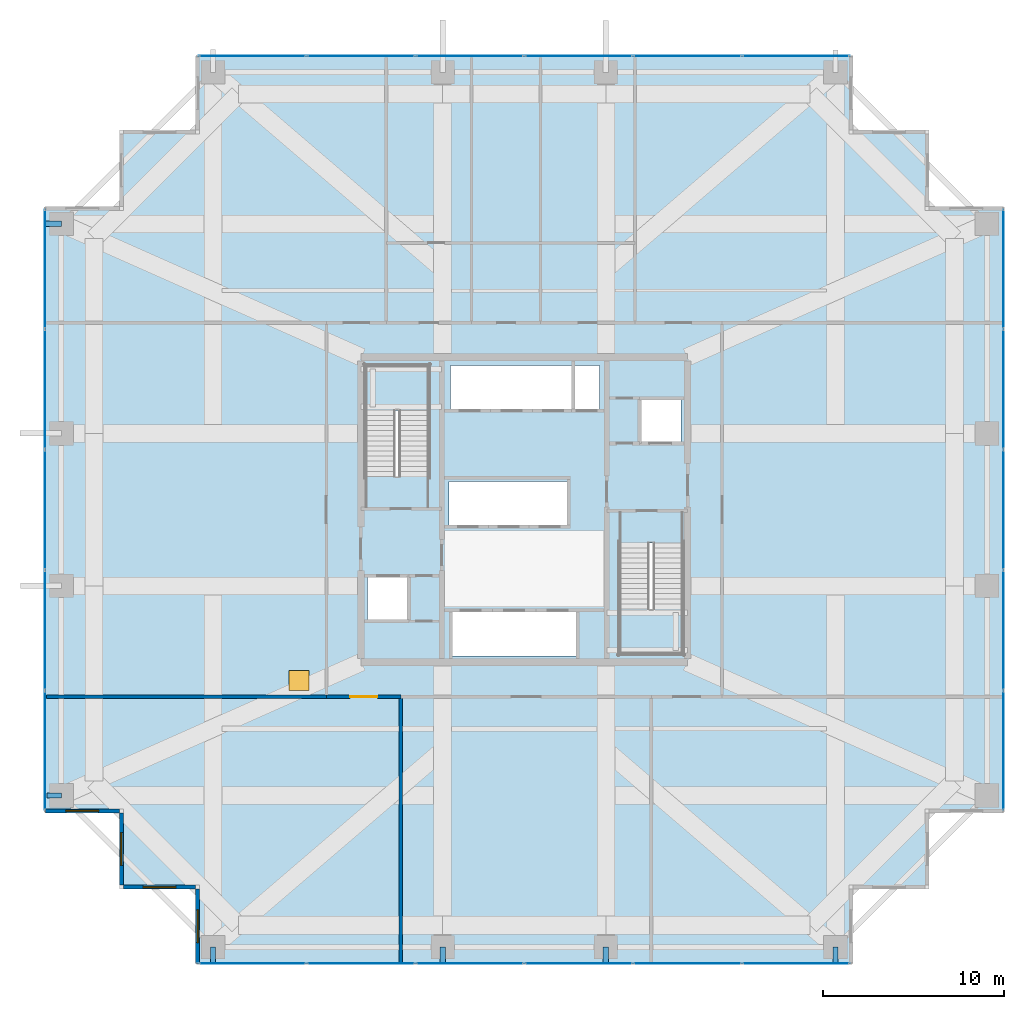
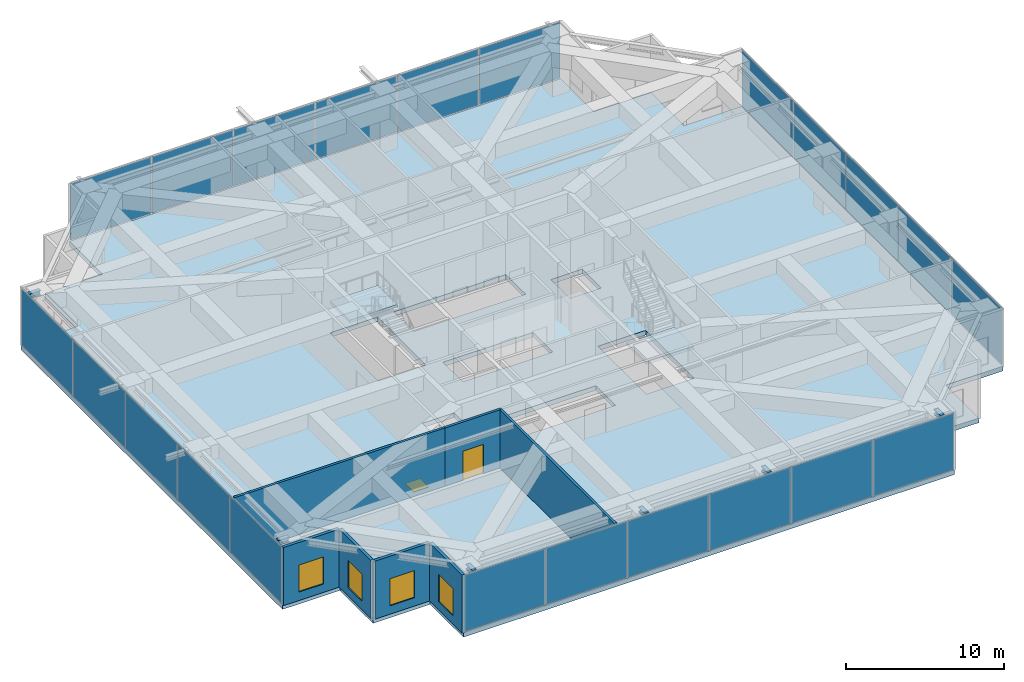
"""IFC4 building model written with IfcOpenShell, lengths in metres."""

from ifc_helpers import new_model, si_unit, direction, frame, frame_2d, origin, origin_2d, place, context, subcontext, project, spatial, polyline, rectangle, i_section, outline, extrude, source, transform, mapped, material, layer, layer_set, material_profile, profile_set, type_object, element, fill, aggregate, save


model = new_model("IFC4")

# Units and contexts
model_context = context("Model", 3, precision=1e-05, world=origin(), true_north=direction((0.0, 1.0)))
body_context = subcontext(model_context, "Body", "Model", "MODEL_VIEW")
ifc_project = project(units=[si_unit("LENGTHUNIT", "METRE"), si_unit("AREAUNIT", "SQUARE_METRE"), si_unit("VOLUMEUNIT", "CUBIC_METRE"), si_unit("PLANEANGLEUNIT", "RADIAN"), si_unit("MASSUNIT", "GRAM", prefix="KILO")], contexts=[model_context])

# Site, building, storey
site_placement = place(None, origin())
site = spatial("IfcSite", under=ifc_project, at=site_placement, CompositionType="ELEMENT")
building_placement = place(site_placement, origin())
building = spatial("IfcBuilding", under=site, at=building_placement, Name="Serunith Strait Residences", CompositionType="ELEMENT")
storey_1_placement = place(building_placement, frame((0.0, 0.0, 115.199951171875)))
storey_1 = spatial("IfcBuildingStorey", under=building, at=storey_1_placement, Name="L28", CompositionType="ELEMENT", Elevation=115.199951171875)

# Beams
ifc_material_1 = material(Name="Steel S355J2", Category="steel")
ifc_material_profile = material_profile(ifc_material_1, i_section(OverallWidth=0.300048828125, OverallDepth=0.360107421875, WebThickness=0.012451171875, FlangeThickness=0.0224609375, FilletRadius=0.027099609375, at=origin_2d()), Name="HEB 360")
ifc_profile_set = profile_set([ifc_material_profile], Name="Steel S355J2")
beam_type = type_object("IfcBeamType", Name="BM-HEB360", PredefinedType="BEAM", material=ifc_profile_set)
shared_shape_1 = source(origin(), body_context, "Body", "SweptSolid", [
    extrude(i_section(OverallWidth=0.300048828125, OverallDepth=0.360107421875, WebThickness=0.012451171875, FlangeThickness=0.0224609375, FilletRadius=0.027099609375, at=origin_2d()), origin(), (0.0, 0.0, 1.0), 0.830078125),
])
for number, where, z_axis, x_axis, name in (
    (1, (15.25, 1.10009765625, 4.3271484375), (0.0, -1.0, 0.0), (1.0, 0.0, 0.0), "L29 Cantilevered Balcony Rib TC-S1"),
    (2, (27.89990234375, 1.10009765625, 4.3271484375), (0.0, -1.0, 0.0), (1.0, 0.0, 0.0), "L29 Cantilevered Balcony Rib TC-S2"),
    (3, (36.89990234375, 1.10009765625, 4.3271484375), (0.0, -1.0, 0.0), (1.0, 0.0, 0.0), "L29 Cantilevered Balcony Rib TC-S3"),
    (4, (49.550048828125, 1.10009765625, 4.3271484375), (0.0, -1.0, 0.0), (1.0, 0.0, 0.0), "L29 Cantilevered Balcony Rib TC-S4"),
):
    element("IfcBeam", number, at=place(storey_1_placement, frame(where, z_axis=z_axis, x_axis=x_axis)), inside=storey_1, type_object=beam_type, Name=name, PredefinedType="BEAM", context=body_context, shape_type="MappedRepresentation", body=[
        mapped(shared_shape_1, transform((0.0, 0.0, 0.0), scale=1.0)),
    ])
shared_shape_2 = source(origin(), body_context, "Body", "SweptSolid", [
    extrude(i_section(OverallWidth=0.300048828125, OverallDepth=0.360107421875, WebThickness=0.012451171875, FlangeThickness=0.0224609375, FilletRadius=0.027099609375, at=origin_2d()), origin(), (0.0, 0.0, 1.0), 0.80322265625),
])
beam_1_placement = place(storey_1_placement, frame((6.89990234375, 9.449951171875, 4.3271484375), z_axis=(-1.0, 0.0, 0.0), x_axis=(0.0, -1.0, 0.0)))
element("IfcBeam", 5, at=beam_1_placement, inside=storey_1, type_object=beam_type, Name="L29 Cantilevered Balcony Rib TC-W1", PredefinedType="BEAM", context=body_context, shape_type="MappedRepresentation", body=[
    mapped(shared_shape_2, transform((0.0, 0.0, 0.0), scale=1.0)),
])
shared_shape_3 = source(origin(), body_context, "Body", "SweptSolid", [
    extrude(i_section(OverallWidth=0.300048828125, OverallDepth=0.360107421875, WebThickness=0.012451171875, FlangeThickness=0.0224609375, FilletRadius=0.027099609375, at=origin_2d()), origin(), (0.0, 0.0, 1.0), 0.84521484375),
])
beam_2_placement = place(storey_1_placement, frame((6.89990234375, 40.949951171875, 4.3271484375), z_axis=(-1.0, 0.0, 0.0), x_axis=(0.0, -1.0, 0.0)))
element("IfcBeam", 6, at=beam_2_placement, inside=storey_1, type_object=beam_type, Name="L29 Cantilevered Balcony Rib TC-W4", PredefinedType="BEAM", context=body_context, shape_type="MappedRepresentation", body=[
    mapped(shared_shape_3, transform((0.0, 0.0, 0.0), scale=1.0)),
])

# Stair, slab
ifc_material_2 = material(Name="Concrete C50/60", Category="concrete")
stair_type_1 = type_object("IfcStairType", Name="STR-CORE-1", PredefinedType="HALF_TURN_STAIR", material=ifc_material_2)
stair_1_placement = place(storey_1_placement, origin())
stair_1 = element("IfcStair", 7, at=stair_1_placement, inside=storey_1, type_object=stair_type_1, Name="L28 Protected Escape Stair ST-1", PredefinedType="HALF_TURN_STAIR")
ifc_layer_1 = layer(ifc_material_2, 0.199951171875, Name="Concrete C50/60")
ifc_layer_set_1 = layer_set([ifc_layer_1], Name="Concrete C50/60")
slab_type_1 = type_object("IfcSlabType", Name="SLB-LAND-200", PredefinedType="LANDING", material=ifc_layer_set_1)
slab_1_placement = place(storey_1_placement, frame((0.0, 0.0, 2.275146484375)))
slab_1 = element("IfcSlab", 8, at=slab_1_placement, type_object=slab_type_1, Name="ST-1 landing 1", PredefinedType="LANDING", context=body_context, shape_type="SweptSolid", body=[
    extrude(outline(polyline([(27.14990234375, 30.669921875), (27.14990234375, 33.14990234375), (23.64990234375, 33.14990234375), (23.64990234375, 30.669921875), (27.14990234375, 30.669921875)])), origin(), (0.0, 0.0, 1.0), 0.199951171875),
])
aggregate(stair_1, [slab_1])

stair_type_2 = type_object("IfcStairType", Name="STR-CORE-2", PredefinedType="HALF_TURN_STAIR", material=ifc_material_2)
stair_2_placement = place(storey_1_placement, origin())
stair_2 = element("IfcStair", 9, at=stair_2_placement, inside=storey_1, type_object=stair_type_2, Name="L28 Protected Escape Stair ST-2", PredefinedType="HALF_TURN_STAIR")
slab_2_placement = place(storey_1_placement, frame((0.0, 0.0, 2.275146484375)))
slab_2 = element("IfcSlab", 10, at=slab_2_placement, type_object=slab_type_1, Name="ST-2 landing 1", PredefinedType="LANDING", context=body_context, shape_type="SweptSolid", body=[
    extrude(outline(polyline([(37.64990234375, 19.72998046875), (37.64990234375, 17.25), (41.14990234375, 17.25), (41.14990234375, 19.72998046875), (37.64990234375, 19.72998046875)])), origin(), (0.0, 0.0, 1.0), 0.199951171875),
])
aggregate(stair_2, [slab_2])

# Slab, opening
ifc_material_3 = material(Name="Concrete C70/85", Category="concrete")
ifc_layer_2 = layer(ifc_material_3, 0.360107421875, Name="Concrete C70/85")
ifc_layer_set_2 = layer_set([ifc_layer_2], Name="Concrete C70/85")
slab_type_2 = type_object("IfcSlabType", Name="SLB-PLT-360", PredefinedType="FLOOR", material=ifc_layer_set_2)
slab_3_placement = place(storey_1_placement, frame((0.0, 0.0, -0.35986328125)))
slab_3 = element("IfcSlab", 11, at=slab_3_placement, inside=storey_1, type_object=slab_type_2, Name="L28 Structural Floor Plate", PredefinedType="FLOOR", context=body_context, shape_type="SweptSolid", body=[
    extrude(outline(polyline([(14.39990234375, 4.39990234375), (10.199951171875, 4.39990234375), (10.199951171875, 8.60009765625), (6.0, 8.60009765625), (6.0, 41.800048828125), (10.199951171875, 41.800048828125), (10.199951171875, 46.0), (14.39990234375, 46.0), (14.39990234375, 50.199951171875), (50.39990234375, 50.199951171875), (50.39990234375, 46.0), (54.60009765625, 46.0), (54.60009765625, 41.800048828125), (58.800048828125, 41.800048828125), (58.800048828125, 8.60009765625), (54.60009765625, 8.60009765625), (54.60009765625, 4.39990234375), (50.39990234375, 4.39990234375), (50.39990234375, 0.199951171875), (14.39990234375, 0.199951171875), (14.39990234375, 4.39990234375)]), holes=[polyline([(41.14990234375, 17.25), (41.14990234375, 23.3701171875), (37.64990234375, 23.3701171875), (37.64990234375, 17.25), (41.14990234375, 17.25)]), polyline([(41.050048828125, 31.25), (38.75, 31.25), (38.75, 28.85009765625), (41.050048828125, 28.85009765625), (41.050048828125, 31.25)]), polyline([(36.550048828125, 33.14990234375), (28.35009765625, 33.14990234375), (28.35009765625, 30.64990234375), (36.550048828125, 30.64990234375), (36.550048828125, 33.14990234375)]), polyline([(28.35009765625, 19.64990234375), (28.35009765625, 17.14990234375), (35.35009765625, 17.14990234375), (35.35009765625, 19.64990234375), (28.35009765625, 19.64990234375)]), polyline([(34.85009765625, 26.75), (28.25, 26.75), (28.25, 24.25), (34.85009765625, 24.25), (34.85009765625, 26.75)]), polyline([(23.64990234375, 33.14990234375), (23.64990234375, 27.030029296875), (27.14990234375, 27.030029296875), (27.14990234375, 33.14990234375), (23.64990234375, 33.14990234375)]), polyline([(26.050048828125, 21.550048828125), (23.75, 21.550048828125), (23.75, 19.14990234375), (26.050048828125, 19.14990234375), (26.050048828125, 21.550048828125)])]), origin(), (0.0, 0.0, 1.0), 0.35986328125),
])
opening_1_placement = place(slab_3_placement, frame((20.0, 15.800048828125, 0.0)))
opening_1 = element("IfcOpeningElement", 12, at=opening_1_placement, cuts=slab_3, Name="Opening RH-01", PredefinedType="OPENING", context=body_context, shape_type="SweptSolid", body=[
    extrude(rectangle(XDim=1.10009765625, YDim=1.10009765625, at=origin_2d()), frame((0.0, 0.0, -0.010009765625)), (0.0, 0.0, 1.0), 0.3798828125),
])

# Storey
storey_2_placement = place(building_placement, frame((0.0, 0.0, 109.199951171875)))
storey_2 = spatial("IfcBuildingStorey", under=building, at=storey_2_placement, Name="L27", CompositionType="ELEMENT", Elevation=109.199951171875)

# Door
ifc_material_4 = material(Name="Insulated Aluminium Roof Access Hatch", Category="aluminium")
door_type_1 = type_object("IfcDoorType", Name="HATCH-ROOF-1100", OperationType="SINGLE_SWING_LEFT", PredefinedType="TRAPDOOR", material=ifc_material_4)
door_1_placement = place(opening_1_placement, frame((0.0, 0.0, 0.31982421875)))
door_1 = element("IfcDoor", 13, at=door_1_placement, inside=storey_2, type_object=door_type_1, Name="L27 Maintenance Access Hatch 05", OperationType="SINGLE_SWING_LEFT", OverallHeight=1.10009765625, OverallWidth=1.10009765625, PredefinedType="TRAPDOOR", context=body_context, shape_type="SweptSolid", body=[
    extrude(rectangle(XDim=1.10009765625, YDim=1.10009765625, at=origin_2d()), origin(), (0.0, 0.0, 1.0), 0.0400390625),
])

fill(opening_1, door_1)

# Curtain wall, plates
ifc_material_5 = material(Name="Pale-Champagne Anodised Aluminium", Category="aluminium")
ifc_layer_3 = layer(ifc_material_5, 0.199951171875, Name="Pale-Champagne Anodised Aluminium")
ifc_layer_set_3 = layer_set([ifc_layer_3], Name="Pale-Champagne Anodised Aluminium")
curtain_wall_type = type_object("IfcCurtainWallType", Name="CW-SYS1", PredefinedType="NOTDEFINED", material=ifc_layer_set_3)
curtain_wall_1_placement = place(storey_1_placement, origin())
curtain_wall_1 = element("IfcCurtainWall", 14, at=curtain_wall_1_placement, inside=storey_1, type_object=curtain_wall_type, Name="L28 S Unitised Fritted Curtain Wall", PredefinedType="NOTDEFINED")
ifc_material_6 = material(Name="Ceramic-Fritted Low-E Double Glazing 28mm", Category="glass")
ifc_layer_4 = layer(ifc_material_6, 0.028076171875, Name="Ceramic-Fritted Low-E Double Glazing 28mm")
ifc_layer_set_4 = layer_set([ifc_layer_4], Name="Ceramic-Fritted Low-E Double Glazing 28mm")
plate_type = type_object("IfcPlateType", Name="CW-SYS1-PNL", PredefinedType="CURTAIN_PANEL", material=ifc_layer_set_4)
shared_shape_4 = source(origin(), body_context, "Body", "SweptSolid", [
    extrude(rectangle(XDim=5.89501953125, YDim=0.028076171875, at=origin_2d()), origin(), (0.0, 0.0, 1.0), 4.375),
])
plate_1_placement = place(storey_1_placement, frame((17.41748046875, 0.199951171875, 0.06005859375), z_axis=(0.0, 0.0, 1.0), x_axis=(1.0, 0.0, 0.0)))
plate_1 = element("IfcPlate", 15, at=plate_1_placement, type_object=plate_type, Name="CW-1 panel 1.1", PredefinedType="CURTAIN_PANEL", context=body_context, shape_type="MappedRepresentation", body=[
    mapped(shared_shape_4, transform((0.0, 0.0, 0.0), scale=1.0)),
])
plate_2_placement = place(storey_1_placement, frame((47.382568359375, 0.199951171875, 0.06005859375), z_axis=(0.0, 0.0, 1.0), x_axis=(1.0, 0.0, 0.0)))
plate_2 = element("IfcPlate", 16, at=plate_2_placement, type_object=plate_type, Name="CW-1 panel 6.1", PredefinedType="CURTAIN_PANEL", context=body_context, shape_type="MappedRepresentation", body=[
    mapped(shared_shape_4, transform((0.0, 0.0, 0.0), scale=1.0)),
])

curtain_wall_2_placement = place(storey_1_placement, origin())
curtain_wall_2 = element("IfcCurtainWall", 17, at=curtain_wall_2_placement, inside=storey_1, type_object=curtain_wall_type, Name="L28 N Unitised Fritted Curtain Wall", PredefinedType="NOTDEFINED")
plate_3_placement = place(storey_1_placement, frame((47.382568359375, 50.199951171875, 0.06005859375), z_axis=(0.0, 0.0, 1.0), x_axis=(-1.0, 0.0, 0.0)))
plate_3 = element("IfcPlate", 18, at=plate_3_placement, type_object=plate_type, Name="CW-1 panel 1.1", PredefinedType="CURTAIN_PANEL", context=body_context, shape_type="MappedRepresentation", body=[
    mapped(shared_shape_4, transform((0.0, 0.0, 0.0), scale=1.0)),
])
plate_4_placement = place(storey_1_placement, frame((17.41748046875, 50.199951171875, 0.06005859375), z_axis=(0.0, 0.0, 1.0), x_axis=(-1.0, 0.0, 0.0)))
plate_4 = element("IfcPlate", 19, at=plate_4_placement, type_object=plate_type, Name="CW-1 panel 6.1", PredefinedType="CURTAIN_PANEL", context=body_context, shape_type="MappedRepresentation", body=[
    mapped(shared_shape_4, transform((0.0, 0.0, 0.0), scale=1.0)),
])

# Plate
shared_shape_5 = source(origin(), body_context, "Body", "SweptSolid", [
    extrude(rectangle(XDim=5.929931640625, YDim=0.028076171875, at=origin_2d()), origin(), (0.0, 0.0, 1.0), 4.375),
])
plate_5_placement = place(storey_1_placement, frame((23.39990234375, 0.199951171875, 0.06005859375), z_axis=(0.0, 0.0, 1.0), x_axis=(1.0, 0.0, 0.0)))
plate_5 = element("IfcPlate", 20, at=plate_5_placement, type_object=plate_type, Name="CW-1 panel 2.1", PredefinedType="CURTAIN_PANEL", context=body_context, shape_type="MappedRepresentation", body=[
    mapped(shared_shape_5, transform((0.0, 0.0, 0.0), scale=1.0)),
])

plate_6_placement = place(storey_1_placement, frame((29.39990234375, 0.199951171875, 0.06005859375), z_axis=(0.0, 0.0, 1.0), x_axis=(1.0, 0.0, 0.0)))
plate_6 = element("IfcPlate", 21, at=plate_6_placement, type_object=plate_type, Name="CW-1 panel 3.1", PredefinedType="CURTAIN_PANEL", context=body_context, shape_type="MappedRepresentation", body=[
    mapped(shared_shape_5, transform((0.0, 0.0, 0.0), scale=1.0)),
])

plate_7_placement = place(storey_1_placement, frame((35.39990234375, 0.199951171875, 0.06005859375), z_axis=(0.0, 0.0, 1.0), x_axis=(1.0, 0.0, 0.0)))
plate_7 = element("IfcPlate", 22, at=plate_7_placement, type_object=plate_type, Name="CW-1 panel 4.1", PredefinedType="CURTAIN_PANEL", context=body_context, shape_type="MappedRepresentation", body=[
    mapped(shared_shape_5, transform((0.0, 0.0, 0.0), scale=1.0)),
])

plate_8_placement = place(storey_1_placement, frame((41.39990234375, 0.199951171875, 0.06005859375), z_axis=(0.0, 0.0, 1.0), x_axis=(1.0, 0.0, 0.0)))
plate_8 = element("IfcPlate", 23, at=plate_8_placement, type_object=plate_type, Name="CW-1 panel 5.1", PredefinedType="CURTAIN_PANEL", context=body_context, shape_type="MappedRepresentation", body=[
    mapped(shared_shape_5, transform((0.0, 0.0, 0.0), scale=1.0)),
])

aggregate(curtain_wall_1, [plate_1, plate_5, plate_6, plate_7, plate_8, plate_2])

plate_9_placement = place(storey_1_placement, frame((41.39990234375, 50.199951171875, 0.06005859375), z_axis=(0.0, 0.0, 1.0), x_axis=(-1.0, 0.0, 0.0)))
plate_9 = element("IfcPlate", 24, at=plate_9_placement, type_object=plate_type, Name="CW-1 panel 2.1", PredefinedType="CURTAIN_PANEL", context=body_context, shape_type="MappedRepresentation", body=[
    mapped(shared_shape_5, transform((0.0, 0.0, 0.0), scale=1.0)),
])

plate_10_placement = place(storey_1_placement, frame((35.39990234375, 50.199951171875, 0.06005859375), z_axis=(0.0, 0.0, 1.0), x_axis=(-1.0, 0.0, 0.0)))
plate_10 = element("IfcPlate", 25, at=plate_10_placement, type_object=plate_type, Name="CW-1 panel 3.1", PredefinedType="CURTAIN_PANEL", context=body_context, shape_type="MappedRepresentation", body=[
    mapped(shared_shape_5, transform((0.0, 0.0, 0.0), scale=1.0)),
])

plate_11_placement = place(storey_1_placement, frame((29.39990234375, 50.199951171875, 0.06005859375), z_axis=(0.0, 0.0, 1.0), x_axis=(-1.0, 0.0, 0.0)))
plate_11 = element("IfcPlate", 26, at=plate_11_placement, type_object=plate_type, Name="CW-1 panel 4.1", PredefinedType="CURTAIN_PANEL", context=body_context, shape_type="MappedRepresentation", body=[
    mapped(shared_shape_5, transform((0.0, 0.0, 0.0), scale=1.0)),
])

plate_12_placement = place(storey_1_placement, frame((23.39990234375, 50.199951171875, 0.06005859375), z_axis=(0.0, 0.0, 1.0), x_axis=(-1.0, 0.0, 0.0)))
plate_12 = element("IfcPlate", 27, at=plate_12_placement, type_object=plate_type, Name="CW-1 panel 5.1", PredefinedType="CURTAIN_PANEL", context=body_context, shape_type="MappedRepresentation", body=[
    mapped(shared_shape_5, transform((0.0, 0.0, 0.0), scale=1.0)),
])

aggregate(curtain_wall_2, [plate_3, plate_9, plate_10, plate_11, plate_12, plate_4])

# Curtain wall, plates
curtain_wall_3_placement = place(storey_1_placement, origin())
curtain_wall_3 = element("IfcCurtainWall", 28, at=curtain_wall_3_placement, inside=storey_1, type_object=curtain_wall_type, Name="L28 E Unitised Fritted Curtain Wall", PredefinedType="NOTDEFINED")
shared_shape_6 = source(origin(), body_context, "Body", "SweptSolid", [
    extrude(rectangle(XDim=6.534912109375, YDim=0.028076171875, at=origin_2d()), origin(), (0.0, 0.0, 1.0), 4.375),
])
plate_13_placement = place(storey_1_placement, frame((58.800048828125, 11.9375, 0.06005859375), z_axis=(0.0, 0.0, 1.0), x_axis=(0.0, 1.0, 0.0)))
plate_13 = element("IfcPlate", 29, at=plate_13_placement, type_object=plate_type, Name="CW-1 panel 1.1", PredefinedType="CURTAIN_PANEL", context=body_context, shape_type="MappedRepresentation", body=[
    mapped(shared_shape_6, transform((0.0, 0.0, 0.0), scale=1.0)),
])
plate_14_placement = place(storey_1_placement, frame((58.800048828125, 38.46240234375, 0.06005859375), z_axis=(0.0, 0.0, 1.0), x_axis=(0.0, 1.0, 0.0)))
plate_14 = element("IfcPlate", 30, at=plate_14_placement, type_object=plate_type, Name="CW-1 panel 5.1", PredefinedType="CURTAIN_PANEL", context=body_context, shape_type="MappedRepresentation", body=[
    mapped(shared_shape_6, transform((0.0, 0.0, 0.0), scale=1.0)),
])

curtain_wall_4_placement = place(storey_1_placement, origin())
curtain_wall_4 = element("IfcCurtainWall", 31, at=curtain_wall_4_placement, inside=storey_1, type_object=curtain_wall_type, Name="L28 W Unitised Fritted Curtain Wall", PredefinedType="NOTDEFINED")
plate_15_placement = place(storey_1_placement, frame((6.0, 38.46240234375, 0.06005859375), z_axis=(0.0, 0.0, 1.0), x_axis=(0.0, -1.0, 0.0)))
plate_15 = element("IfcPlate", 32, at=plate_15_placement, type_object=plate_type, Name="CW-1 panel 1.1", PredefinedType="CURTAIN_PANEL", context=body_context, shape_type="MappedRepresentation", body=[
    mapped(shared_shape_6, transform((0.0, 0.0, 0.0), scale=1.0)),
])
plate_16_placement = place(storey_1_placement, frame((6.0, 11.9375, 0.06005859375), z_axis=(0.0, 0.0, 1.0), x_axis=(0.0, -1.0, 0.0)))
plate_16 = element("IfcPlate", 33, at=plate_16_placement, type_object=plate_type, Name="CW-1 panel 5.1", PredefinedType="CURTAIN_PANEL", context=body_context, shape_type="MappedRepresentation", body=[
    mapped(shared_shape_6, transform((0.0, 0.0, 0.0), scale=1.0)),
])

# Plate
shared_shape_7 = source(origin(), body_context, "Body", "SweptSolid", [
    extrude(rectangle(XDim=6.570068359375, YDim=0.028076171875, at=origin_2d()), origin(), (0.0, 0.0, 1.0), 4.375),
])
plate_17_placement = place(storey_1_placement, frame((58.800048828125, 18.56005859375, 0.06005859375), z_axis=(0.0, 0.0, 1.0), x_axis=(0.0, 1.0, 0.0)))
plate_17 = element("IfcPlate", 34, at=plate_17_placement, type_object=plate_type, Name="CW-1 panel 2.1", PredefinedType="CURTAIN_PANEL", context=body_context, shape_type="MappedRepresentation", body=[
    mapped(shared_shape_7, transform((0.0, 0.0, 0.0), scale=1.0)),
])

plate_18_placement = place(storey_1_placement, frame((58.800048828125, 25.199951171875, 0.06005859375), z_axis=(0.0, 0.0, 1.0), x_axis=(0.0, 1.0, 0.0)))
plate_18 = element("IfcPlate", 35, at=plate_18_placement, type_object=plate_type, Name="CW-1 panel 3.1", PredefinedType="CURTAIN_PANEL", context=body_context, shape_type="MappedRepresentation", body=[
    mapped(shared_shape_7, transform((0.0, 0.0, 0.0), scale=1.0)),
])

plate_19_placement = place(storey_1_placement, frame((58.800048828125, 31.840087890625, 0.06005859375), z_axis=(0.0, 0.0, 1.0), x_axis=(0.0, 1.0, 0.0)))
plate_19 = element("IfcPlate", 36, at=plate_19_placement, type_object=plate_type, Name="CW-1 panel 4.1", PredefinedType="CURTAIN_PANEL", context=body_context, shape_type="MappedRepresentation", body=[
    mapped(shared_shape_7, transform((0.0, 0.0, 0.0), scale=1.0)),
])

aggregate(curtain_wall_3, [plate_13, plate_17, plate_18, plate_19, plate_14])

plate_20_placement = place(storey_1_placement, frame((6.0, 31.840087890625, 0.06005859375), z_axis=(0.0, 0.0, 1.0), x_axis=(0.0, -1.0, 0.0)))
plate_20 = element("IfcPlate", 37, at=plate_20_placement, type_object=plate_type, Name="CW-1 panel 2.1", PredefinedType="CURTAIN_PANEL", context=body_context, shape_type="MappedRepresentation", body=[
    mapped(shared_shape_7, transform((0.0, 0.0, 0.0), scale=1.0)),
])

plate_21_placement = place(storey_1_placement, frame((6.0, 25.199951171875, 0.06005859375), z_axis=(0.0, 0.0, 1.0), x_axis=(0.0, -1.0, 0.0)))
plate_21 = element("IfcPlate", 38, at=plate_21_placement, type_object=plate_type, Name="CW-1 panel 3.1", PredefinedType="CURTAIN_PANEL", context=body_context, shape_type="MappedRepresentation", body=[
    mapped(shared_shape_7, transform((0.0, 0.0, 0.0), scale=1.0)),
])

plate_22_placement = place(storey_1_placement, frame((6.0, 18.56005859375, 0.06005859375), z_axis=(0.0, 0.0, 1.0), x_axis=(0.0, -1.0, 0.0)))
plate_22 = element("IfcPlate", 39, at=plate_22_placement, type_object=plate_type, Name="CW-1 panel 4.1", PredefinedType="CURTAIN_PANEL", context=body_context, shape_type="MappedRepresentation", body=[
    mapped(shared_shape_7, transform((0.0, 0.0, 0.0), scale=1.0)),
])

aggregate(curtain_wall_4, [plate_15, plate_20, plate_21, plate_22, plate_16])

# Wall, opening, window
ifc_material_7 = material(Name="Pale-Champagne Aluminium Insulated Panel", Category="aluminium")
ifc_layer_5 = layer(ifc_material_7, 0.219970703125, Name="Pale-Champagne Aluminium Insulated Panel")
ifc_layer_set_5 = layer_set([ifc_layer_5], Name="Pale-Champagne Aluminium Insulated Panel")
wall_type_1 = type_object("IfcWallType", Name="EW-ALUM-220", PredefinedType="ELEMENTEDWALL", material=ifc_layer_set_5)
wall_1_placement = place(storey_1_placement, frame((6.0, 8.60009765625, 0.0), z_axis=(0.0, 0.0, 1.0), x_axis=(1.0, 0.0, 0.0)))
wall_1 = element("IfcWall", 40, at=wall_1_placement, inside=storey_1, type_object=wall_type_1, Name="L28 Girih Serrated Corner Wall 17", PredefinedType="ELEMENTEDWALL", context=body_context, shape_type="SweptSolid", body=[
    extrude(rectangle(XDim=4.090087890625, YDim=0.219970703125, at=frame_2d((2.044921875, 0.0))), origin(), (0.0, 0.0, 1.0), 4.4951171875),
])
opening_2_placement = place(wall_1_placement, frame((1.14501953125, 0.0, 0.64990234375)))
opening_2 = element("IfcOpeningElement", 41, at=opening_2_placement, cuts=wall_1, Name="Opening W-01", PredefinedType="OPENING", context=body_context, shape_type="SweptSolid", body=[
    extrude(rectangle(XDim=1.800048828125, YDim=2.10009765625, at=frame_2d((0.89990234375, 1.050048828125))), frame((0.0, 0.1201171875, 0.0), z_axis=(0.0, -1.0, 0.0), x_axis=(1.0, 0.0, 0.0)), (0.0, 0.0, 1.0), 0.239990234375),
])
ifc_material_8 = material(Name="Ceramic-Fritted Operable Aluminium Window Glass", Category="aluminium")
window_type = type_object("IfcWindowType", Name="WIN-C1", PartitioningType="DOUBLE_PANEL_VERTICAL", PredefinedType="WINDOW", material=ifc_material_8)
shared_shape_8 = source(origin(), body_context, "Body", "SweptSolid", [
    extrude(rectangle(XDim=1.800048828125, YDim=2.10009765625, at=frame_2d((0.89990234375, 1.050048828125))), frame((0.0, 0.030029296875, 0.0), z_axis=(0.0, -1.0, 0.0), x_axis=(1.0, 0.0, 0.0)), (0.0, 0.0, 1.0), 0.06005859375),
])
window_1_placement = place(opening_2_placement, origin())
window_1 = element("IfcWindow", 42, at=window_1_placement, inside=storey_1, type_object=window_type, Name="L28 Corner Operable Fritted Window 17", OverallHeight=2.10009765625, OverallWidth=1.800048828125, PartitioningType="SINGLE_PANEL", PredefinedType="WINDOW", context=body_context, shape_type="MappedRepresentation", body=[
    mapped(shared_shape_8, transform((0.0, 0.0, 0.0), scale=1.0)),
])
fill(opening_2, window_1)

wall_2_placement = place(storey_1_placement, frame((10.199951171875, 8.489990234375, 0.0), z_axis=(0.0, 0.0, 1.0), x_axis=(0.0, -1.0, 0.0)))
wall_2 = element("IfcWall", 43, at=wall_2_placement, inside=storey_1, type_object=wall_type_1, Name="L28 Girih Serrated Corner Wall 18", PredefinedType="ELEMENTEDWALL", context=body_context, shape_type="SweptSolid", body=[
    extrude(rectangle(XDim=3.97998046875, YDim=0.219970703125, at=frame_2d((1.989990234375, 0.0))), origin(), (0.0, 0.0, 1.0), 4.4951171875),
])
opening_3_placement = place(wall_2_placement, frame((1.090087890625, 0.0, 0.64990234375)))
opening_3 = element("IfcOpeningElement", 44, at=opening_3_placement, cuts=wall_2, Name="Opening W-01", PredefinedType="OPENING", context=body_context, shape_type="SweptSolid", body=[
    extrude(rectangle(XDim=1.800048828125, YDim=2.10009765625, at=frame_2d((0.89990234375, 1.050048828125))), frame((0.0, 0.1201171875, 0.0), z_axis=(0.0, -1.0, 0.0), x_axis=(1.0, 0.0, 0.0)), (0.0, 0.0, 1.0), 0.239990234375),
])
window_2_placement = place(opening_3_placement, origin())
window_2 = element("IfcWindow", 45, at=window_2_placement, inside=storey_1, type_object=window_type, Name="L28 Corner Operable Fritted Window 18", OverallHeight=2.10009765625, OverallWidth=1.800048828125, PartitioningType="SINGLE_PANEL", PredefinedType="WINDOW", context=body_context, shape_type="MappedRepresentation", body=[
    mapped(shared_shape_8, transform((0.0, 0.0, 0.0), scale=1.0)),
])
fill(opening_3, window_2)

wall_3_placement = place(storey_1_placement, frame((10.31005859375, 4.39990234375, 0.0), z_axis=(0.0, 0.0, 1.0), x_axis=(1.0, 0.0, 0.0)))
wall_3 = element("IfcWall", 46, at=wall_3_placement, inside=storey_1, type_object=wall_type_1, Name="L28 Girih Serrated Corner Wall 19", PredefinedType="ELEMENTEDWALL", context=body_context, shape_type="SweptSolid", body=[
    extrude(rectangle(XDim=3.97998046875, YDim=0.219970703125, at=frame_2d((1.989990234375, 0.0))), origin(), (0.0, 0.0, 1.0), 4.4951171875),
])
opening_4_placement = place(wall_3_placement, frame((1.090087890625, 0.0, 0.64990234375)))
opening_4 = element("IfcOpeningElement", 47, at=opening_4_placement, cuts=wall_3, Name="Opening W-01", PredefinedType="OPENING", context=body_context, shape_type="SweptSolid", body=[
    extrude(rectangle(XDim=1.800048828125, YDim=2.10009765625, at=frame_2d((0.89990234375, 1.050048828125))), frame((0.0, 0.1201171875, 0.0), z_axis=(0.0, -1.0, 0.0), x_axis=(1.0, 0.0, 0.0)), (0.0, 0.0, 1.0), 0.239990234375),
])
window_3_placement = place(opening_4_placement, origin())
window_3 = element("IfcWindow", 48, at=window_3_placement, inside=storey_1, type_object=window_type, Name="L28 Corner Operable Fritted Window 19", OverallHeight=2.10009765625, OverallWidth=1.800048828125, PartitioningType="SINGLE_PANEL", PredefinedType="WINDOW", context=body_context, shape_type="MappedRepresentation", body=[
    mapped(shared_shape_8, transform((0.0, 0.0, 0.0), scale=1.0)),
])
fill(opening_4, window_3)

wall_4_placement = place(storey_1_placement, frame((14.39990234375, 4.2900390625, 0.0), z_axis=(0.0, 0.0, 1.0), x_axis=(0.0, -1.0, 0.0)))
wall_4 = element("IfcWall", 49, at=wall_4_placement, inside=storey_1, type_object=wall_type_1, Name="L28 Girih Serrated Corner Wall 20", PredefinedType="ELEMENTEDWALL", context=body_context, shape_type="SweptSolid", body=[
    extrude(rectangle(XDim=4.090087890625, YDim=0.219970703125, at=frame_2d((2.044921875, 0.0))), origin(), (0.0, 0.0, 1.0), 4.4951171875),
])
opening_5_placement = place(wall_4_placement, frame((1.14501953125, 0.0, 0.64990234375)))
opening_5 = element("IfcOpeningElement", 50, at=opening_5_placement, cuts=wall_4, Name="Opening W-01", PredefinedType="OPENING", context=body_context, shape_type="SweptSolid", body=[
    extrude(rectangle(XDim=1.800048828125, YDim=2.10009765625, at=frame_2d((0.89990234375, 1.050048828125))), frame((0.0, 0.1201171875, 0.0), z_axis=(0.0, -1.0, 0.0), x_axis=(1.0, 0.0, 0.0)), (0.0, 0.0, 1.0), 0.239990234375),
])
window_4_placement = place(opening_5_placement, origin())
window_4 = element("IfcWindow", 51, at=window_4_placement, inside=storey_1, type_object=window_type, Name="L28 Corner Operable Fritted Window 20", OverallHeight=2.10009765625, OverallWidth=1.800048828125, PartitioningType="SINGLE_PANEL", PredefinedType="WINDOW", context=body_context, shape_type="MappedRepresentation", body=[
    mapped(shared_shape_8, transform((0.0, 0.0, 0.0), scale=1.0)),
])
fill(opening_5, window_4)

# Walls
ifc_material_9 = material(Name="Fire-rated acoustic gypsum partition")
ifc_layer_6 = layer(ifc_material_9, 0.179931640625, Name="Fire-rated acoustic gypsum partition")
ifc_layer_set_6 = layer_set([ifc_layer_6], Name="Fire-rated acoustic gypsum partition")
wall_type_2 = type_object("IfcWallType", Name="IW-CORR-180", PredefinedType="PARTITIONING", material=ifc_layer_set_6)
wall_5_placement = place(storey_1_placement, frame((6.08203125, 14.89990234375, 0.0), z_axis=(0.0, 0.0, 1.0), x_axis=(1.0, 0.0, 0.0)))
element("IfcWall", 52, at=wall_5_placement, inside=storey_1, type_object=wall_type_2, Name="L28 Partition Wall 014", PredefinedType="PARTITIONING", context=body_context, shape_type="SweptSolid", body=[
    extrude(rectangle(XDim=15.41796875, YDim=0.179931640625, at=frame_2d((7.708984375, 0.0))), origin(), (0.0, 0.0, 1.0), 4.510009765625),
])
wall_6_placement = place(storey_1_placement, frame((25.60009765625, 0.281982421875, 0.0), z_axis=(0.0, 0.0, 1.0), x_axis=(0.0, 1.0, 0.0)))
element("IfcWall", 53, at=wall_6_placement, inside=storey_1, type_object=wall_type_2, Name="L28 Partition Wall 020", PredefinedType="PARTITIONING", context=body_context, shape_type="SweptSolid", body=[
    extrude(rectangle(XDim=14.617919921875, YDim=0.179931640625, at=frame_2d((7.30908203125, 0.0))), origin(), (0.0, 0.0, 1.0), 4.510009765625),
])

# Wall, opening, door
wall_7_placement = place(storey_1_placement, frame((21.501953125, 14.89990234375, 0.0), z_axis=(0.0, 0.0, 1.0), x_axis=(1.0, 0.0, 0.0)))
wall_7 = element("IfcWall", 54, at=wall_7_placement, inside=storey_1, type_object=wall_type_2, Name="L28 Partition Wall 026", PredefinedType="PARTITIONING", context=body_context, shape_type="SweptSolid", body=[
    extrude(rectangle(XDim=4.09814453125, YDim=0.179931640625, at=frame_2d((2.049072265625, 0.0))), origin(), (0.0, 0.0, 1.0), 4.510009765625),
])
opening_6_placement = place(wall_7_placement, frame((1.299072265625, 0.0, 0.0)))
opening_6 = element("IfcOpeningElement", 55, at=opening_6_placement, cuts=wall_7, Name="Opening D-POD1500", PredefinedType="OPENING", context=body_context, shape_type="SweptSolid", body=[
    extrude(rectangle(XDim=1.5, YDim=2.25, at=frame_2d((0.75, 1.125))), frame((0.0, 0.10009765625, 0.0), z_axis=(0.0, -1.0, 0.0), x_axis=(1.0, 0.0, 0.0)), (0.0, 0.0, 1.0), 0.199951171875),
])
ifc_material_10 = material(Name="Pale-champagne aluminium glazed double door", Category="aluminium")
door_type_2 = type_object("IfcDoorType", Name="ID-POD-1500", OperationType="DOUBLE_DOOR_SINGLE_SWING", PredefinedType="DOOR", material=ifc_material_10)
shared_shape_9 = source(origin(), body_context, "Body", "SweptSolid", [
    extrude(rectangle(XDim=1.5, YDim=2.25, at=frame_2d((0.75, 1.125))), frame((0.0, 0.02490234375, 0.0), z_axis=(0.0, -1.0, 0.0), x_axis=(1.0, 0.0, 0.0)), (0.0, 0.0, 1.0), 0.050048828125),
])
door_2_placement = place(opening_6_placement, origin())
door_2 = element("IfcDoor", 56, at=door_2_placement, inside=storey_1, type_object=door_type_2, Name="L28 South-West Suite Door", OperationType="DOUBLE_DOOR_SINGLE_SWING", OverallHeight=2.25, OverallWidth=1.5, PredefinedType="DOOR", context=body_context, shape_type="MappedRepresentation", body=[
    mapped(shared_shape_9, transform((0.0, 0.0, 0.0), scale=1.0)),
])
fill(opening_6, door_2)

save(model, "model.ifc")
